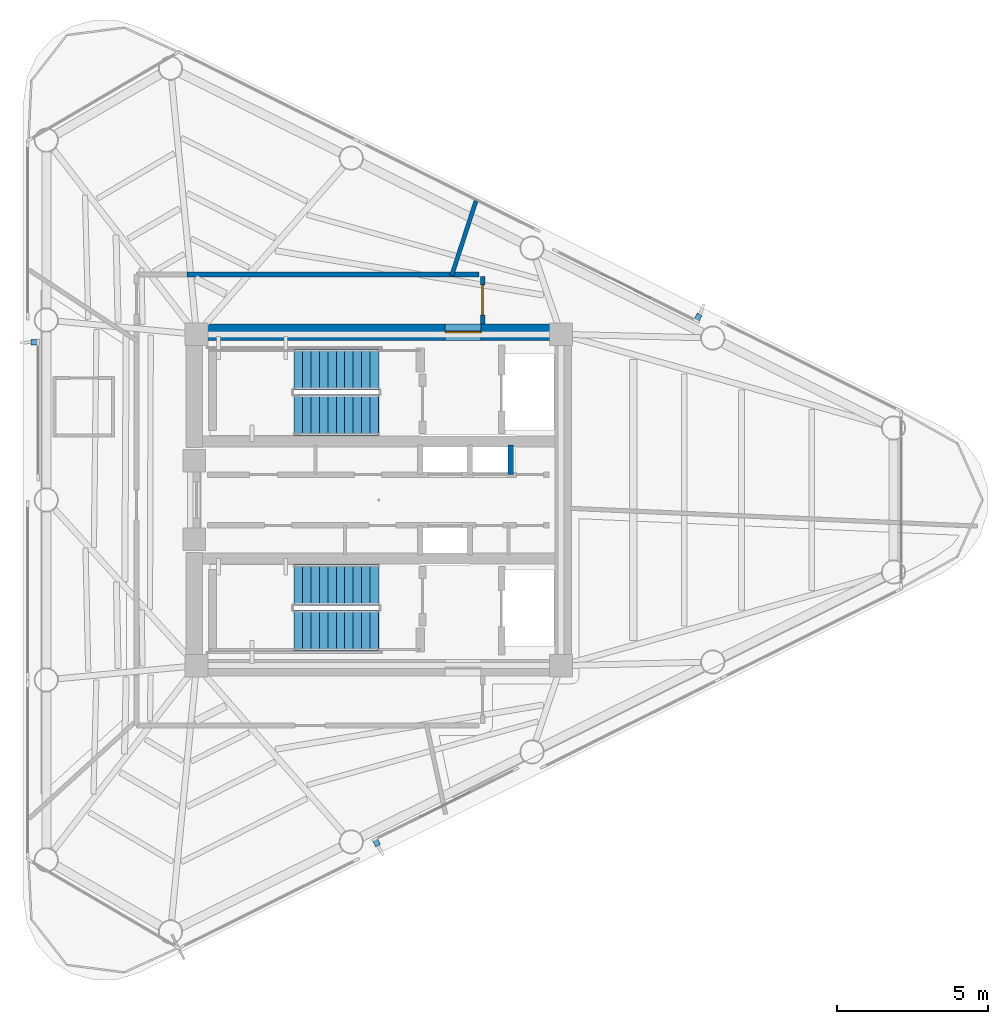
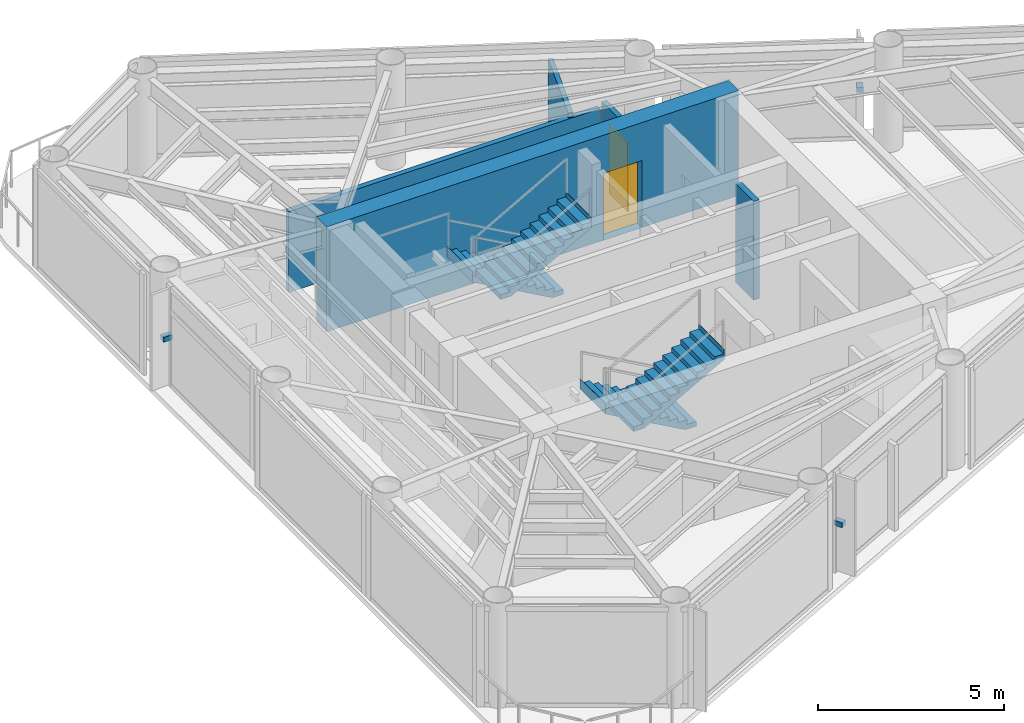
# One storey, part 6 of 10: 5 walls, 4 stair flights, 3 discrete accessories, 2 doors, 2 openings, 2 elements without a shape of their own.
"""IFC4 building model written with IfcOpenShell, lengths in metres."""

import ifcopenshell
import ifcopenshell.guid

model = None  # the IFC model being written
_history = None  # IfcOwnerHistory: only IFC2X3 demands one
_inside = {}  # id of a spatial element -> (the spatial element, [elements in it])
_under = {}  # id of a project, library or spatial element -> (it, [spatial elements below it])
_declared = {}  # id of a project -> (the project, [libraries it declares])
_typed = {}  # id of a type object -> (the type object, [elements of that type])
_made_of = {}  # id of a material, layer set ... -> (it, [elements and type objects made of it])


def new_model(schema):
    """Start an empty IFC model of exactly this schema.

    Asked for "IFC4X3", IfcOpenShell would pick the latest addendum, in which some entities
    have other attributes; the version numbers below select the first issue.
    IFC2X3 requires an IfcOwnerHistory on every rooted entity: one is made here for all.
    """
    global model, _history
    if schema == "IFC4X3":
        model = ifcopenshell.file(schema_version=(4, 3, 0, 0))
    else:
        model = ifcopenshell.file(schema=schema)
    _inside.clear()
    _under.clear()
    _declared.clear()
    _typed.clear()
    _made_of.clear()
    _history = None
    if model.schema == "IFC2X3":
        org = make("IfcOrganization", Name="unknown")
        user = make(
            "IfcPersonAndOrganization",
            ThePerson=make("IfcPerson", FamilyName="unknown"),
            TheOrganization=org,
        )
        app = make(
            "IfcApplication",
            ApplicationDeveloper=org,
            Version="unknown",
            ApplicationFullName="unknown",
            ApplicationIdentifier="unknown",
        )
        _history = make(
            "IfcOwnerHistory",
            OwningUser=user,
            OwningApplication=app,
            ChangeAction="ADDED",
            CreationDate=0,
        )
    return model


def make(cls, **values):
    """One entity of the class cls with the attributes given. An attribute that is None is left unset."""
    return model.create_entity(
        cls, **{name: value for name, value in values.items() if value is not None}
    )


def rooted(cls, **values):
    """An entity with a GlobalId (a new one), such as an element, a storey or a relation."""
    return make(cls, GlobalId=ifcopenshell.guid.new(), OwnerHistory=_history, **values)


def si_unit(unit_type, name, prefix=None):
    """IfcSIUnit, for example si_unit("LENGTHUNIT", "METRE", prefix="MILLI")."""
    return make("IfcSIUnit", UnitType=unit_type, Prefix=prefix, Name=name)


def assignment(units):
    """IfcUnitAssignment: the units of a project."""
    return None if units is None else make("IfcUnitAssignment", Units=units)


def point(xyz):
    """IfcCartesianPoint."""
    return None if xyz is None else make("IfcCartesianPoint", Coordinates=xyz)


def direction(xyz):
    """IfcDirection."""
    return None if xyz is None else make("IfcDirection", DirectionRatios=xyz)


def frame(location, z_axis=None, x_axis=None):
    """IfcAxis2Placement3D, a coordinate frame: its origin and axes. An axis left out is left unset."""
    return make(
        "IfcAxis2Placement3D",
        Location=point(location),
        Axis=direction(z_axis),
        RefDirection=direction(x_axis),
    )


def frame_2d(location, x_axis=None):
    """IfcAxis2Placement2D, a coordinate frame in the plane: its origin and x axis."""
    return make(
        "IfcAxis2Placement2D", Location=point(location), RefDirection=direction(x_axis)
    )


def origin():
    """The frame at (0, 0, 0) with its axes left unset."""
    return frame((0.0, 0.0, 0.0))


def origin_2d():
    """The frame at (0, 0) in the plane with its x axis left unset."""
    return frame_2d((0.0, 0.0))


def place(relative_to, where):
    """IfcLocalPlacement: puts the frame where relative to a parent placement (None: the world)."""
    return make(
        "IfcLocalPlacement", PlacementRelTo=relative_to, RelativePlacement=where
    )


def context(
    kind, dimensions, precision=None, world=None, true_north=None, identifier=None
):
    """IfcGeometricRepresentationContext, for example the 3D "Model" context."""
    return make(
        "IfcGeometricRepresentationContext",
        ContextIdentifier=identifier,
        ContextType=kind,
        CoordinateSpaceDimension=dimensions,
        Precision=precision,
        WorldCoordinateSystem=world,
        TrueNorth=true_north,
    )


def subcontext(parent, identifier, kind, view, scale=None):
    """IfcGeometricRepresentationSubContext, for example "Body" below "Model"."""
    return make(
        "IfcGeometricRepresentationSubContext",
        ContextIdentifier=identifier,
        ContextType=kind,
        ParentContext=parent,
        TargetScale=scale,
        TargetView=view,
    )


def project(units=None, contexts=None):
    """IfcProject with its units and contexts."""
    return rooted(
        "IfcProject",
        Name="project",
        RepresentationContexts=contexts,
        UnitsInContext=assignment(units),
    )


def spatial(cls, under=None, at=None, **own):
    """A site, building, storey or space (cls), placed at a placement, below another one or the project."""
    s = rooted(cls, ObjectPlacement=at, **own)
    if under is not None:
        _under.setdefault(under.id(), (under, []))[1].append(s)
    return s


def polyline(points):
    """IfcPolyline through the points."""
    return make("IfcPolyline", Points=[point(p) for p in points])


def profile(cls, at=None, kind="AREA", **sizes):
    """A parametric profile (cls). Its sizes go by their IFC names, for example OverallWidth=200.0."""
    return make(cls, ProfileType=kind, Position=at, **sizes)


def rectangle(**sizes):
    """IfcRectangleProfileDef."""
    return profile("IfcRectangleProfileDef", **sizes)


def outline(outer, holes=None, kind="AREA"):
    """IfcArbitraryClosedProfileDef: a profile drawn as a closed curve; with holes, ...WithVoids."""
    if holes is None:
        return make("IfcArbitraryClosedProfileDef", ProfileType=kind, OuterCurve=outer)
    return make(
        "IfcArbitraryProfileDefWithVoids",
        ProfileType=kind,
        OuterCurve=outer,
        InnerCurves=holes,
    )


def extrude(swept, where, along, depth):
    """IfcExtrudedAreaSolid: the profile swept, set in the frame where, extruded along a direction by depth."""
    return make(
        "IfcExtrudedAreaSolid",
        SweptArea=swept,
        Position=where,
        ExtrudedDirection=direction(along),
        Depth=depth,
    )


def shape(context_of_items, identifier, shape_type, items):
    """IfcShapeRepresentation: the items that make up one representation, for example the "Body"."""
    return make(
        "IfcShapeRepresentation",
        ContextOfItems=context_of_items,
        RepresentationIdentifier=identifier,
        RepresentationType=shape_type,
        Items=items,
    )


def source(mapping_origin, context_of_items, identifier, shape_type, items):
    """IfcRepresentationMap: a shape defined once, which mapped items show again and again."""
    return make(
        "IfcRepresentationMap",
        MappingOrigin=mapping_origin,
        MappedRepresentation=shape(context_of_items, identifier, shape_type, items),
    )


def transform(
    local_origin,
    x_axis=None,
    y_axis=None,
    z_axis=None,
    scale=None,
    scale2=None,
    scale3=None,
    uniform=True,
):
    """IfcCartesianTransformationOperator3D, or its non-uniform kind. x_axis, y_axis, z_axis: its Axis1, 2, 3."""
    if uniform:
        return make(
            "IfcCartesianTransformationOperator3D",
            Axis1=direction(x_axis),
            Axis2=direction(y_axis),
            LocalOrigin=point(local_origin),
            Scale=scale,
            Axis3=direction(z_axis),
        )
    return make(
        "IfcCartesianTransformationOperator3DnonUniform",
        Axis1=direction(x_axis),
        Axis2=direction(y_axis),
        LocalOrigin=point(local_origin),
        Scale=scale,
        Axis3=direction(z_axis),
        Scale2=scale2,
        Scale3=scale3,
    )


def mapped(mapping_source, mapping_target):
    """IfcMappedItem: shows the shape of a source again, moved by a transform."""
    return make(
        "IfcMappedItem", MappingSource=mapping_source, MappingTarget=mapping_target
    )


def material(Name=None, Category=None):
    """IfcMaterial."""
    return make("IfcMaterial", Name=Name, Category=Category)


def layer(
    of_material, thickness, ventilated=None, Name=None, Category=None, Priority=None
):
    """IfcMaterialLayer: one layer of a wall or slab, of a material (None: an air gap)."""
    return make(
        "IfcMaterialLayer",
        Material=of_material,
        LayerThickness=thickness,
        IsVentilated=ventilated,
        Name=Name,
        Category=Category,
        Priority=Priority,
    )


def layer_set(layers, Name=None):
    """IfcMaterialLayerSet."""
    return make("IfcMaterialLayerSet", MaterialLayers=layers, LayerSetName=Name)


def made_of(thing, what):
    """Note that an element or type object is made of a material, layer set ...; save() writes the relation."""
    if what is not None:
        _made_of.setdefault(what.id(), (what, []))[1].append(thing)
    return thing


def type_object(cls, material=None, **own):
    """A type object (cls), such as IfcWallType, which elements share."""
    return made_of(rooted(cls, **own), material)


def element(
    cls,
    number,
    at=None,
    inside=None,
    cuts=None,
    type_object=None,
    material=None,
    context=None,
    identifier="Body",
    shape_type=None,
    held_by="IfcProductDefinitionShape",
    body=None,
    shapes=None,
    **own,
):
    """One element of the class cls, such as IfcWall. Its Tag is "e" and its number.

    at: its placement. inside: the storey or other place that contains it. cuts: it is an
    opening in that element (IfcRelVoidsElement). A single representation is given by context,
    identifier, shape_type and body (its items); several are given by shapes. held_by: the class
    of the entity that holds the representations. save() writes the other relations.
    """
    e = rooted(cls, Tag="e%d" % number, ObjectPlacement=at, **own)
    if body is not None:
        shapes = [shape(context, identifier, shape_type, body)]
    if shapes is not None:
        e.Representation = make(held_by, Representations=shapes)
    if inside is not None:
        _inside.setdefault(inside.id(), (inside, []))[1].append(e)
    if cuts is not None:
        rooted(
            "IfcRelVoidsElement", RelatingBuildingElement=cuts, RelatedOpeningElement=e
        )
    if type_object is not None:
        _typed.setdefault(type_object.id(), (type_object, []))[1].append(e)
    return made_of(e, material)


def fill(opening, filler):
    """IfcRelFillsElement: the door or window that sits in an opening."""
    return rooted(
        "IfcRelFillsElement",
        RelatingOpeningElement=opening,
        RelatedBuildingElement=filler,
    )


def aggregate(whole, parts):
    """IfcRelAggregates: a whole, such as a stair, and the parts it consists of."""
    return rooted("IfcRelAggregates", RelatingObject=whole, RelatedObjects=parts)


def save(model, path):
    """Write the relations noted so far, then the file.

    IfcRelAggregates (storeys below a building ...), IfcRelContainedInSpatialStructure (elements
    in a storey), IfcRelDefinesByType, IfcRelAssociatesMaterial and IfcRelDeclares: one each for
    every whole, place, type object, material and project.
    """
    for whole, parts in _under.values():
        aggregate(whole, parts)
    for where, things in _inside.values():
        rooted(
            "IfcRelContainedInSpatialStructure",
            RelatedElements=things,
            RelatingStructure=where,
        )
    for kind, things in _typed.values():
        rooted("IfcRelDefinesByType", RelatedObjects=things, RelatingType=kind)
    for what, things in _made_of.values():
        rooted("IfcRelAssociatesMaterial", RelatedObjects=things, RelatingMaterial=what)
    for by, libraries in _declared.values():
        rooted("IfcRelDeclares", RelatingContext=by, RelatedDefinitions=libraries)
    model.write(path)


model = new_model("IFC4")

# Units and contexts
model_context = context("Model", 3, precision=1e-05, world=origin(), true_north=direction((0.0, 1.0)))
body_context = subcontext(model_context, "Body", "Model", "MODEL_VIEW")
ifc_project = project(units=[si_unit("LENGTHUNIT", "METRE"), si_unit("AREAUNIT", "SQUARE_METRE"), si_unit("VOLUMEUNIT", "CUBIC_METRE"), si_unit("PLANEANGLEUNIT", "RADIAN"), si_unit("MASSUNIT", "GRAM", prefix="KILO")], contexts=[model_context])

# Site, building, storey
site_placement = place(None, origin())
site = spatial("IfcSite", under=ifc_project, at=site_placement, CompositionType="ELEMENT")
building_placement = place(site_placement, origin())
building = spatial("IfcBuilding", under=site, at=building_placement, Name="Yunling Apex Tower", CompositionType="ELEMENT")
storey_placement = place(building_placement, frame((0.0, 0.0, 289.85009765625)))
storey = spatial("IfcBuildingStorey", under=building, at=storey_placement, Name="L70", CompositionType="ELEMENT", Elevation=289.85009765625)

# Wall, opening, door
ifc_material_1 = material(Name="Concrete C40", Category="concrete")
ifc_layer_1 = layer(ifc_material_1, 0.550048828125)
ifc_layer_set_1 = layer_set([ifc_layer_1], Name="Concrete C40")
wall_type_1 = type_object("IfcWallType", Name="WL-COR-3", PredefinedType="SHEAR", material=ifc_layer_set_1)
wall_1_placement = place(storey_placement, frame((-6.39990234375, 5.574951171875, 0.0), z_axis=(0.0, 0.0, 1.0), x_axis=(1.0, 0.0, 0.0)))
wall_1 = element("IfcWall", 1, at=wall_1_placement, inside=storey, type_object=wall_type_1, Name="L70 North Core Shear Wall", PredefinedType="SHEAR", context=body_context, shape_type="SweptSolid", body=[
    extrude(rectangle(XDim=12.7998046875, YDim=0.550048828125, at=frame_2d((6.39990234375, 0.0))), origin(), (0.0, 0.0, 1.0), 3.449951171875),
])
opening_1_placement = place(wall_1_placement, frame((8.60009765625, 0.0, 0.0)))
opening_1 = element("IfcOpeningElement", 2, at=opening_1_placement, cuts=wall_1, Name="Opening DR-FFL-1", PredefinedType="OPENING", context=body_context, shape_type="SweptSolid", body=[
    extrude(rectangle(XDim=1.199951171875, YDim=2.199951171875, at=frame_2d((0.60009765625, 1.10009765625))), frame((0.0, 0.28515625, 0.0), z_axis=(0.0, -1.0, 0.0), x_axis=(1.0, 0.0, 0.0)), (0.0, 0.0, 1.0), 0.570068359375),
])
ifc_material_2 = material(Name="Steel Q355B", Category="steel")
door_type_1 = type_object("IfcDoorType", Name="DR-FFL-1", OperationType="NOTDEFINED", PredefinedType="DOOR", material=ifc_material_2)
door_1_placement = place(opening_1_placement, origin())
door_1 = element("IfcDoor", 3, at=door_1_placement, inside=storey, type_object=door_type_1, Name="L70 North Firefighting Lobby Door", OperationType="SINGLE_SWING_LEFT", OverallHeight=2.199951171875, OverallWidth=1.199951171875, PredefinedType="DOOR", context=body_context, shape_type="SweptSolid", body=[
    extrude(rectangle(XDim=1.199951171875, YDim=2.199951171875, at=frame_2d((0.60009765625, 1.10009765625))), frame((0.0, 0.02490234375, 0.0), z_axis=(0.0, -1.0, 0.0), x_axis=(1.0, 0.0, 0.0)), (0.0, 0.0, 1.0), 0.050048828125),
])
fill(opening_1, door_1)

# Wall
ifc_material_3 = material(Name="Gypsum board acoustic partition")
ifc_layer_2 = layer(ifc_material_3, 0.159912109375)
ifc_layer_set_2 = layer_set([ifc_layer_2], Name="Gypsum board acoustic partition")
wall_type_2 = type_object("IfcWallType", Name="WL-PRT-1", PredefinedType="PARTITIONING", material=ifc_layer_set_2)
wall_2_placement = place(storey_placement, frame((-6.360107421875, 7.489990234375, 0.0), z_axis=(0.0, 0.0, 1.0), x_axis=(1.0, 0.0, 0.0)))
element("IfcWall", 4, at=wall_2_placement, inside=storey, type_object=wall_type_2, Name="WL-CORR-L70-03", PredefinedType="PARTITIONING", context=body_context, shape_type="SweptSolid", body=[
    extrude(rectangle(XDim=9.67919921875, YDim=0.159912109375, at=frame_2d((4.839599609375, 0.0))), origin(), (0.0, 0.0, 1.0), 2.65478515625),
])

# Wall, opening, door
wall_3_placement = place(storey_placement, frame((3.449951171875, 7.4248046875, 0.0), z_axis=(0.0, 0.0, 1.0), x_axis=(0.0, -1.0, 0.0)))
wall_3 = element("IfcWall", 5, at=wall_3_placement, inside=storey, type_object=wall_type_2, Name="WL-CORR-L70-04", PredefinedType="PARTITIONING", context=body_context, shape_type="SweptSolid", body=[
    extrude(rectangle(XDim=1.57470703125, YDim=0.159912109375, at=frame_2d((0.787353515625, 0.0))), origin(), (0.0, 0.0, 1.0), 2.85498046875),
])
opening_2_placement = place(wall_3_placement, frame((0.287353515625, 0.0, 0.0)))
opening_2 = element("IfcOpeningElement", 6, at=opening_2_placement, cuts=wall_3, Name="Opening DR-OFF-1", PredefinedType="OPENING", context=body_context, shape_type="SweptSolid", body=[
    extrude(rectangle(XDim=1.0, YDim=2.25, at=frame_2d((0.5, 1.125))), frame((0.0, 0.08984375, 0.0), z_axis=(0.0, -1.0, 0.0), x_axis=(1.0, 0.0, 0.0)), (0.0, 0.0, 1.0), 0.179931640625),
])
ifc_material_4 = material(Name="Bronze anodised aluminium", Category="aluminium")
door_type_2 = type_object("IfcDoorType", Name="DR-OFF-1", OperationType="NOTDEFINED", PredefinedType="DOOR", material=ifc_material_4)
door_2_placement = place(opening_2_placement, origin())
door_2 = element("IfcDoor", 7, at=door_2_placement, inside=storey, type_object=door_type_2, Name="L70 Residents Reading Lounge Door", OperationType="SINGLE_SWING_LEFT", OverallHeight=2.25, OverallWidth=1.0, PredefinedType="DOOR", context=body_context, shape_type="SweptSolid", body=[
    extrude(rectangle(XDim=1.0, YDim=2.25, at=frame_2d((0.5, 1.125))), frame((0.0, 0.02490234375, 0.0), z_axis=(0.0, -1.0, 0.0), x_axis=(1.0, 0.0, 0.0)), (0.0, 0.0, 1.0), 0.050048828125),
])
fill(opening_2, door_2)

# Walls
ifc_layer_3 = layer(ifc_material_3, 0.139892578125)
ifc_layer_set_3 = layer_set([ifc_layer_3], Name="Gypsum board acoustic partition")
wall_type_3 = type_object("IfcWallType", Name="WL-PRT-2", PredefinedType="PARTITIONING", material=ifc_layer_set_3)
wall_4_placement = place(storey_placement, frame((2.420654296875, 7.449951171875, 0.0), z_axis=(0.0, 0.0, 1.0), x_axis=(0.309047920595, 0.951046467201, 0.0)))
element("IfcWall", 8, at=wall_4_placement, inside=storey, type_object=wall_type_3, Name="WL-RAD-L70-02", PredefinedType="PARTITIONING", context=body_context, shape_type="SweptSolid", body=[
    extrude(rectangle(XDim=2.6044921875, YDim=0.139892578125, at=frame_2d((1.30224609375, 0.0))), origin(), (0.0, 0.0, 1.0), 2.81494140625),
])
ifc_material_5 = material(Name="Autoclaved aerated concrete masonry", Category="masonry")
ifc_layer_4 = layer(ifc_material_5, 0.179931640625)
ifc_layer_set_4 = layer_set([ifc_layer_4], Name="Autoclaved aerated concrete masonry")
wall_type_4 = type_object("IfcWallType", Name="WL-SHF-2", PredefinedType="PLUMBINGWALL", material=ifc_layer_set_4)
wall_5_placement = place(storey_placement, frame((4.3798828125, 0.840087890625, 0.0), z_axis=(0.0, 0.0, 1.0), x_axis=(0.0, 1.0, 0.0)))
element("IfcWall", 9, at=wall_5_placement, inside=storey, type_object=wall_type_4, Name="WL-END-H3E-L70", PredefinedType="PLUMBINGWALL", context=body_context, shape_type="SweptSolid", body=[
    extrude(rectangle(XDim=0.97998046875, YDim=0.179931640625, at=frame_2d((0.489990234375, 0.0))), origin(), (0.0, 0.0, 1.0), 3.25),
])

# Stair, stair flights
stair_type = type_object("IfcStairType", Name="ST-TWR-3", PredefinedType="HALF_TURN_STAIR", material=ifc_material_1)
stair_1_placement = place(storey_placement, origin())
stair_1 = element("IfcStair", 10, at=stair_1_placement, inside=storey, type_object=stair_type, Name="L70 North Core Smokeproof Exit Stair ST-1", PredefinedType="HALF_TURN_STAIR")
stair_flight_type = type_object("IfcStairFlightType", Name="SFL-TWR-3", PredefinedType="STRAIGHT", material=ifc_material_1)
stair_flight_1_placement = place(storey_placement, frame((-0.010009765625, 4.330078125, 0.0), z_axis=(0.0, 0.0, 1.0), x_axis=(-1.0, 0.0, 0.0)))
stair_flight_1 = element("IfcStairFlight", 11, at=stair_flight_1_placement, type_object=stair_flight_type, Name="ST-1 flight 1", NumberOfRisers=11, NumberOfTreads=10, PredefinedType="STRAIGHT", RiserHeight=0.156818182, TreadLength=0.28, context=body_context, shape_type="SweptSolid", body=[
    extrude(outline(polyline([(-0.011962890625, 0.0), (-0.011962890625, 0.15673828125), (0.0, 0.15673828125), (0.280029296875, 0.15673828125), (0.280029296875, 0.313720703125), (0.56005859375, 0.313720703125), (0.56005859375, 0.470458984375), (0.840087890625, 0.470458984375), (0.840087890625, 0.627197265625), (1.1201171875, 0.627197265625), (1.1201171875, 0.7841796875), (1.39990234375, 0.7841796875), (1.39990234375, 0.94091796875), (1.679931640625, 0.94091796875), (1.679931640625, 1.09765625), (1.9599609375, 1.09765625), (1.9599609375, 1.254638671875), (2.239990234375, 1.254638671875), (2.239990234375, 1.411376953125), (2.52001953125, 1.411376953125), (2.52001953125, 1.568115234375), (2.800048828125, 1.568115234375), (2.800048828125, 1.72509765625), (2.81201171875, 1.72509765625), (2.81201171875, 1.385009765625), (0.3271484375, 0.0), (-0.011962890625, 0.0)])), frame((0.0, 0.68017578125, 0.0), z_axis=(0.0, -1.0, 0.0), x_axis=(1.0, 0.0, 0.0)), (0.0, 0.0, 1.0), 1.360107421875),
])
stair_flight_2_placement = place(storey_placement, frame((-2.81005859375, 2.820068359375, 1.724853515625), z_axis=(0.0, 0.0, 1.0), x_axis=(1.0, 0.0, 0.0)))
stair_flight_2 = element("IfcStairFlight", 12, at=stair_flight_2_placement, type_object=stair_flight_type, Name="ST-1 flight 2", NumberOfRisers=11, NumberOfTreads=10, PredefinedType="STRAIGHT", RiserHeight=0.156818182, TreadLength=0.28, context=body_context, shape_type="SweptSolid", body=[
    extrude(outline(polyline([(-0.011962890625, 0.0), (-0.011962890625, 0.15673828125), (0.0, 0.15673828125), (0.280029296875, 0.15673828125), (0.280029296875, 0.313720703125), (0.56005859375, 0.313720703125), (0.56005859375, 0.470458984375), (0.840087890625, 0.470458984375), (0.840087890625, 0.627197265625), (1.1201171875, 0.627197265625), (1.1201171875, 0.7841796875), (1.39990234375, 0.7841796875), (1.39990234375, 0.94091796875), (1.679931640625, 0.94091796875), (1.679931640625, 1.09765625), (1.9599609375, 1.09765625), (1.9599609375, 1.254638671875), (2.239990234375, 1.254638671875), (2.239990234375, 1.411376953125), (2.52001953125, 1.411376953125), (2.52001953125, 1.568115234375), (2.800048828125, 1.568115234375), (2.800048828125, 1.72509765625), (2.81201171875, 1.72509765625), (2.81201171875, 1.385009765625), (0.3271484375, 0.0), (-0.011962890625, 0.0)])), frame((0.0, 0.68017578125, 0.0), z_axis=(0.0, -1.0, 0.0), x_axis=(1.0, 0.0, 0.0)), (0.0, 0.0, 1.0), 1.360107421875),
])
aggregate(stair_1, [stair_flight_1, stair_flight_2])

stair_2_placement = place(storey_placement, origin())
stair_2 = element("IfcStair", 13, at=stair_2_placement, inside=storey, type_object=stair_type, Name="L70 South Core Smokeproof Exit Stair ST-2", PredefinedType="HALF_TURN_STAIR")
stair_flight_3_placement = place(storey_placement, frame((-0.010009765625, -2.820068359375, 0.0), z_axis=(0.0, 0.0, 1.0), x_axis=(-1.0, 0.0, 0.0)))
stair_flight_3 = element("IfcStairFlight", 14, at=stair_flight_3_placement, type_object=stair_flight_type, Name="ST-2 flight 1", NumberOfRisers=11, NumberOfTreads=10, PredefinedType="STRAIGHT", RiserHeight=0.156818182, TreadLength=0.28, context=body_context, shape_type="SweptSolid", body=[
    extrude(outline(polyline([(-0.011962890625, 0.0), (-0.011962890625, 0.15673828125), (0.0, 0.15673828125), (0.280029296875, 0.15673828125), (0.280029296875, 0.313720703125), (0.56005859375, 0.313720703125), (0.56005859375, 0.470458984375), (0.840087890625, 0.470458984375), (0.840087890625, 0.627197265625), (1.1201171875, 0.627197265625), (1.1201171875, 0.7841796875), (1.39990234375, 0.7841796875), (1.39990234375, 0.94091796875), (1.679931640625, 0.94091796875), (1.679931640625, 1.09765625), (1.9599609375, 1.09765625), (1.9599609375, 1.254638671875), (2.239990234375, 1.254638671875), (2.239990234375, 1.411376953125), (2.52001953125, 1.411376953125), (2.52001953125, 1.568115234375), (2.800048828125, 1.568115234375), (2.800048828125, 1.72509765625), (2.81201171875, 1.72509765625), (2.81201171875, 1.385009765625), (0.3271484375, 0.0), (-0.011962890625, 0.0)])), frame((0.0, 0.68017578125, 0.0), z_axis=(0.0, -1.0, 0.0), x_axis=(1.0, 0.0, 0.0)), (0.0, 0.0, 1.0), 1.360107421875),
])
stair_flight_4_placement = place(storey_placement, frame((-2.81005859375, -4.330078125, 1.724853515625), z_axis=(0.0, 0.0, 1.0), x_axis=(1.0, 0.0, 0.0)))
stair_flight_4 = element("IfcStairFlight", 15, at=stair_flight_4_placement, type_object=stair_flight_type, Name="ST-2 flight 2", NumberOfRisers=11, NumberOfTreads=10, PredefinedType="STRAIGHT", RiserHeight=0.156818182, TreadLength=0.28, context=body_context, shape_type="SweptSolid", body=[
    extrude(outline(polyline([(-0.011962890625, 0.0), (-0.011962890625, 0.15673828125), (0.0, 0.15673828125), (0.280029296875, 0.15673828125), (0.280029296875, 0.313720703125), (0.56005859375, 0.313720703125), (0.56005859375, 0.470458984375), (0.840087890625, 0.470458984375), (0.840087890625, 0.627197265625), (1.1201171875, 0.627197265625), (1.1201171875, 0.7841796875), (1.39990234375, 0.7841796875), (1.39990234375, 0.94091796875), (1.679931640625, 0.94091796875), (1.679931640625, 1.09765625), (1.9599609375, 1.09765625), (1.9599609375, 1.254638671875), (2.239990234375, 1.254638671875), (2.239990234375, 1.411376953125), (2.52001953125, 1.411376953125), (2.52001953125, 1.568115234375), (2.800048828125, 1.568115234375), (2.800048828125, 1.72509765625), (2.81201171875, 1.72509765625), (2.81201171875, 1.385009765625), (0.3271484375, 0.0), (-0.011962890625, 0.0)])), frame((0.0, 0.68017578125, 0.0), z_axis=(0.0, -1.0, 0.0), x_axis=(1.0, 0.0, 0.0)), (0.0, 0.0, 1.0), 1.360107421875),
])
aggregate(stair_2, [stair_flight_3, stair_flight_4])

# Discrete accessories
discrete_accessory_type = type_object("IfcDiscreteAccessoryType", Name="BK-FIN-1", PredefinedType="BRACKET", material=ifc_material_2)
shared_shape = source(origin(), body_context, "Body", "SweptSolid", [
    extrude(rectangle(XDim=0.179931640625, YDim=0.260009765625, at=origin_2d()), origin(), (0.0, 0.0, 1.0), 0.159912109375),
])
for number, where, z_axis, x_axis, name in (
    (16, (-0.08203125, -11.361083984375, 1.55517578125), (0.0, 0.0, 1.0), (0.895245648325, 0.445572922377, 0.0), "CW-L70-F1-B2-BRK-01-1"),
    (17, (10.59326171875, 6.047607421875, 1.55517578125), (0.0, 0.0, 1.0), (-0.895245648325, 0.445572922377, 0.0), "CW-L70-F2-B2-BRK-01-1"),
    (18, (-11.417236328125, 5.232666015625, 1.55517578125), (0.0, 0.0, 1.0), (0.0, -1.0, 0.0), "CW-L70-F3-B2-BRK-01-1"),
):
    element("IfcDiscreteAccessory", number, at=place(storey_placement, frame(where, z_axis=z_axis, x_axis=x_axis)), inside=storey, type_object=discrete_accessory_type, Name=name, PredefinedType="BRACKET", context=body_context, shape_type="MappedRepresentation", body=[
        mapped(shared_shape, transform((0.0, 0.0, 0.0), scale=1.0)),
    ])

save(model, "model.ifc")
